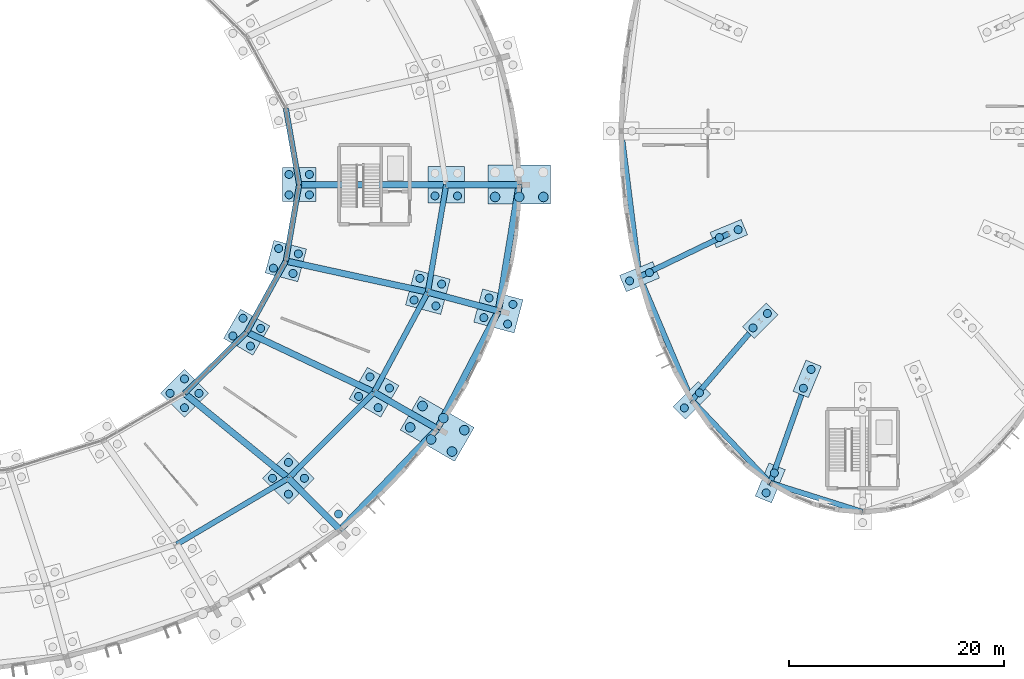
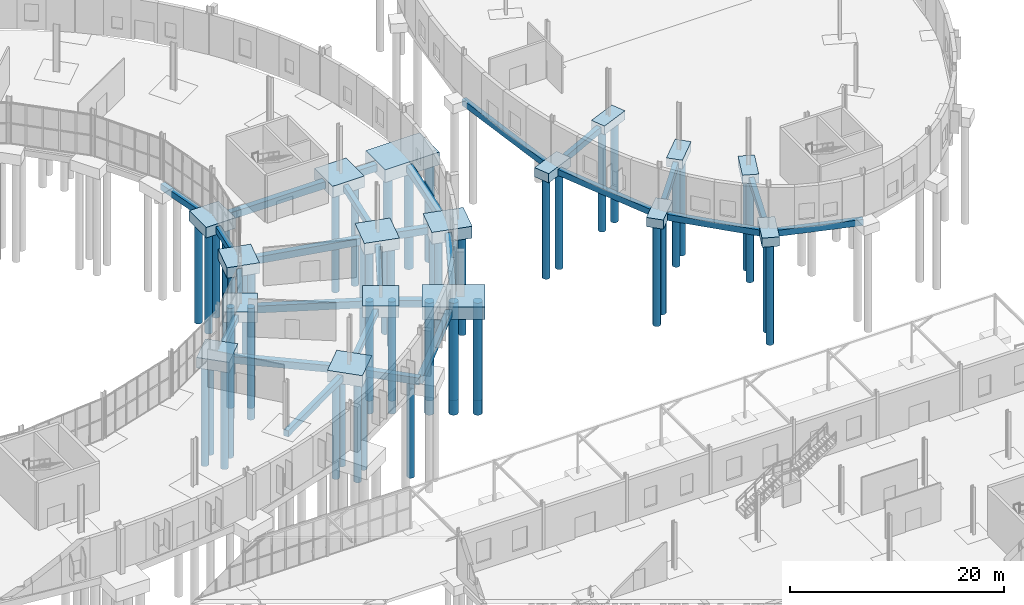
# One storey, part 7 of 118: 56 piles, 43 footings.
"""IFC4 building model written with IfcOpenShell, lengths in metres."""

from ifc_helpers import new_model, si_unit, direction, frame, origin, origin_2d, place, context, subcontext, project, spatial, rectangle, circle, extrude, material, material_profile, profile_set, type_object, element, save


model = new_model("IFC4")

# Units and contexts
model_context = context("Model", 3, precision=1e-05, world=origin(), true_north=direction((0.0, 1.0)))
body_context = subcontext(model_context, "Body", "Model", "MODEL_VIEW")
ifc_project = project(units=[si_unit("LENGTHUNIT", "METRE"), si_unit("AREAUNIT", "SQUARE_METRE"), si_unit("VOLUMEUNIT", "CUBIC_METRE"), si_unit("PLANEANGLEUNIT", "RADIAN"), si_unit("MASSUNIT", "GRAM", prefix="KILO")], contexts=[model_context])

# Site, building, storey
site_placement = place(None, origin())
site = spatial("IfcSite", under=ifc_project, at=site_placement, CompositionType="ELEMENT")
building_placement = place(site_placement, origin())
building = spatial("IfcBuilding", under=site, at=building_placement, Name="Kildeholm Park Wholesale Market", CompositionType="ELEMENT")
storey_placement = place(building_placement, origin())
storey = spatial("IfcBuildingStorey", under=building, at=storey_placement, Name="L00", CompositionType="ELEMENT", Elevation=0.0)

# Piles
ifc_material = material(Name="Concrete C35/45", Category="concrete")
ifc_material_profile_1 = material_profile(ifc_material, circle(Radius=0.375, at=origin_2d()), Name="PILE D750")
ifc_profile_set_1 = profile_set([ifc_material_profile_1], Name="Concrete C35/45")
pile_type_1 = type_object("IfcPileType", Name="Bored pile 750 mm", PredefinedType="BORED", material=ifc_profile_set_1)
for number, where, z_axis, x_axis, name in (
    (1, (134.550048828125, 88.550048828125, -1.10009765625), (0.0, 0.0, -1.0), (1.0, 0.0, 0.0), "Bored pile V1-IN-00.1 PIL-0001"),
    (2, (136.449951171875, 88.550048828125, -1.10009765625), (0.0, 0.0, -1.0), (1.0, 0.0, 0.0), "Bored pile V1-IN-00.2 PIL-0002"),
    (3, (134.550048828125, 90.449951171875, -1.10009765625), (0.0, 0.0, -1.0), (1.0, 0.0, 0.0), "Bored pile V1-IN-00.3 PIL-0003"),
    (4, (136.449951171875, 90.449951171875, -1.10009765625), (0.0, 0.0, -1.0), (1.0, 0.0, 0.0), "Bored pile V1-IN-00.4 PIL-0004"),
):
    element("IfcPile", number, at=place(storey_placement, frame(where, z_axis=z_axis, x_axis=x_axis)), inside=storey, type_object=pile_type_1, Name=name, PredefinedType="BORED", context=body_context, shape_type="SweptSolid", body=[
        extrude(circle(Radius=0.375, at=origin_2d()), origin(), (0.0, 0.0, 1.0), 11.39990234375),
    ])
for number, where, z_axis, x_axis, name in (
    (5, (148.14990234375, 88.449951171875, -1.199951171875), (0.0, 0.0, -1.0), (1.0, 0.0, 0.0), "Bored pile V1-MD-00.1 PIL-0005"),
    (6, (150.25, 88.449951171875, -1.199951171875), (0.0, 0.0, -1.0), (1.0, 0.0, 0.0), "Bored pile V1-MD-00.2 PIL-0006"),
):
    element("IfcPile", number, at=place(storey_placement, frame(where, z_axis=z_axis, x_axis=x_axis)), inside=storey, type_object=pile_type_1, Name=name, PredefinedType="BORED", context=body_context, shape_type="SweptSolid", body=[
        extrude(circle(Radius=0.375, at=origin_2d()), origin(), (0.0, 0.0, 1.0), 11.300048828125),
    ])
for number, where, z_axis, x_axis, name in (
    (7, (123.465576171875, 70.054931640625, -1.10009765625), (0.0, 0.0, -1.0), (1.0, 0.0, 0.0), "Bored pile V1-IN-21.1 PIL-0275"),
    (8, (124.80908203125, 68.71142578125, -1.10009765625), (0.0, 0.0, -1.0), (1.0, 0.0, 0.0), "Bored pile V1-IN-21.2 PIL-0276"),
    (9, (124.80908203125, 71.3984375, -1.10009765625), (0.0, 0.0, -1.0), (1.0, 0.0, 0.0), "Bored pile V1-IN-21.3 PIL-0277"),
    (10, (126.152587890625, 70.054931640625, -1.10009765625), (0.0, 0.0, -1.0), (1.0, 0.0, 0.0), "Bored pile V1-IN-21.4 PIL-0278"),
):
    element("IfcPile", number, at=place(storey_placement, frame(where, z_axis=z_axis, x_axis=x_axis)), inside=storey, type_object=pile_type_1, Name=name, PredefinedType="BORED", context=body_context, shape_type="SweptSolid", body=[
        extrude(circle(Radius=0.375, at=origin_2d()), origin(), (0.0, 0.0, 1.0), 11.39990234375),
    ])
for number, where, z_axis, x_axis, name in (
    (11, (133.01220703125, 62.135009765625, -1.199951171875), (0.0, 0.0, -1.0), (1.0, 0.0, 0.0), "Bored pile V1-MD-21.1 PIL-0279"),
    (12, (134.4970703125, 60.650146484375, -1.199951171875), (0.0, 0.0, -1.0), (1.0, 0.0, 0.0), "Bored pile V1-MD-21.2 PIL-0280"),
    (13, (134.4970703125, 63.619873046875, -1.199951171875), (0.0, 0.0, -1.0), (1.0, 0.0, 0.0), "Bored pile V1-MD-21.3 PIL-0281"),
    (14, (135.98193359375, 62.135009765625, -1.199951171875), (0.0, 0.0, -1.0), (1.0, 0.0, 0.0), "Bored pile V1-MD-21.4 PIL-0282"),
):
    element("IfcPile", number, at=place(storey_placement, frame(where, z_axis=z_axis, x_axis=x_axis)), inside=storey, type_object=pile_type_1, Name=name, PredefinedType="BORED", context=body_context, shape_type="SweptSolid", body=[
        extrude(circle(Radius=0.375, at=origin_2d()), origin(), (0.0, 0.0, 1.0), 11.300048828125),
    ])
pile_placement = place(storey_placement, frame((139.16357421875, 58.81201171875, -1.25), z_axis=(0.0, 0.0, -1.0), x_axis=(1.0, 0.0, 0.0)))
element("IfcPile", 15, at=pile_placement, inside=storey, type_object=pile_type_1, Name="Bored pile V1-OT-21.3 PIL-0285", PredefinedType="BORED", context=body_context, shape_type="SweptSolid", body=[
    extrude(circle(Radius=0.375, at=origin_2d()), origin(), (0.0, 0.0, 1.0), 11.25),
])
for number, where, z_axis, x_axis, name in (
    (16, (129.312255859375, 75.40234375, -1.10009765625), (0.0, 0.0, -1.0), (1.0, 0.0, 0.0), "Bored pile V1-IN-22.1 PIL-0287"),
    (17, (130.957763671875, 74.452392578125, -1.10009765625), (0.0, 0.0, -1.0), (1.0, 0.0, 0.0), "Bored pile V1-IN-22.2 PIL-0288"),
    (18, (130.26220703125, 77.047607421875, -1.10009765625), (0.0, 0.0, -1.0), (1.0, 0.0, 0.0), "Bored pile V1-IN-22.3 PIL-0289"),
    (19, (131.90771484375, 76.09765625, -1.10009765625), (0.0, 0.0, -1.0), (1.0, 0.0, 0.0), "Bored pile V1-IN-22.4 PIL-0290"),
):
    element("IfcPile", number, at=place(storey_placement, frame(where, z_axis=z_axis, x_axis=x_axis)), inside=storey, type_object=pile_type_1, Name=name, PredefinedType="BORED", context=body_context, shape_type="SweptSolid", body=[
        extrude(circle(Radius=0.375, at=origin_2d()), origin(), (0.0, 0.0, 1.0), 11.39990234375),
    ])
for number, where, z_axis, x_axis, name in (
    (20, (141.039794921875, 69.765625, -1.199951171875), (0.0, 0.0, -1.0), (1.0, 0.0, 0.0), "Bored pile V1-MD-22.1 PIL-0291"),
    (21, (142.8583984375, 68.7158203125, -1.199951171875), (0.0, 0.0, -1.0), (1.0, 0.0, 0.0), "Bored pile V1-MD-22.2 PIL-0292"),
    (22, (142.089599609375, 71.584228515625, -1.199951171875), (0.0, 0.0, -1.0), (1.0, 0.0, 0.0), "Bored pile V1-MD-22.3 PIL-0293"),
    (23, (143.908203125, 70.5341796875, -1.199951171875), (0.0, 0.0, -1.0), (1.0, 0.0, 0.0), "Bored pile V1-MD-22.4 PIL-0294"),
):
    element("IfcPile", number, at=place(storey_placement, frame(where, z_axis=z_axis, x_axis=x_axis)), inside=storey, type_object=pile_type_1, Name=name, PredefinedType="BORED", context=body_context, shape_type="SweptSolid", body=[
        extrude(circle(Radius=0.375, at=origin_2d()), origin(), (0.0, 0.0, 1.0), 11.300048828125),
    ])
for number, where, z_axis, x_axis, name in (
    (24, (133.092529296875, 81.710205078125, -1.10009765625), (0.0, 0.0, -1.0), (1.0, 0.0, 0.0), "Bored pile V1-IN-23.1 PIL-0301"),
    (25, (134.927734375, 81.218505859375, -1.10009765625), (0.0, 0.0, -1.0), (1.0, 0.0, 0.0), "Bored pile V1-IN-23.2 PIL-0302"),
    (26, (133.584228515625, 83.54541015625, -1.10009765625), (0.0, 0.0, -1.0), (1.0, 0.0, 0.0), "Bored pile V1-IN-23.3 PIL-0303"),
    (27, (135.41943359375, 83.0537109375, -1.10009765625), (0.0, 0.0, -1.0), (1.0, 0.0, 0.0), "Bored pile V1-IN-23.4 PIL-0304"),
):
    element("IfcPile", number, at=place(storey_placement, frame(where, z_axis=z_axis, x_axis=x_axis)), inside=storey, type_object=pile_type_1, Name=name, PredefinedType="BORED", context=body_context, shape_type="SweptSolid", body=[
        extrude(circle(Radius=0.375, at=origin_2d()), origin(), (0.0, 0.0, 1.0), 11.39990234375),
    ])
for number, where, z_axis, x_axis, name in (
    (28, (146.202880859375, 78.741455078125, -1.199951171875), (0.0, 0.0, -1.0), (1.0, 0.0, 0.0), "Bored pile V1-MD-23.1 PIL-0305"),
    (29, (148.2314453125, 78.197998046875, -1.199951171875), (0.0, 0.0, -1.0), (1.0, 0.0, 0.0), "Bored pile V1-MD-23.2 PIL-0306"),
    (30, (146.74658203125, 80.77001953125, -1.199951171875), (0.0, 0.0, -1.0), (1.0, 0.0, 0.0), "Bored pile V1-MD-23.3 PIL-0307"),
    (31, (148.77490234375, 80.2265625, -1.199951171875), (0.0, 0.0, -1.0), (1.0, 0.0, 0.0), "Bored pile V1-MD-23.4 PIL-0308"),
):
    element("IfcPile", number, at=place(storey_placement, frame(where, z_axis=z_axis, x_axis=x_axis)), inside=storey, type_object=pile_type_1, Name=name, PredefinedType="BORED", context=body_context, shape_type="SweptSolid", body=[
        extrude(circle(Radius=0.375, at=origin_2d()), origin(), (0.0, 0.0, 1.0), 11.300048828125),
    ])
for number, where, z_axis, x_axis, name in (
    (32, (152.701416015625, 77.10400390625, -1.25), (0.0, 0.0, -1.0), (1.0, 0.0, 0.0), "Bored pile V1-OT-23.1 PIL-0309"),
    (33, (154.9228515625, 76.5087890625, -1.25), (0.0, 0.0, -1.0), (1.0, 0.0, 0.0), "Bored pile V1-OT-23.2 PIL-0310"),
    (34, (153.193115234375, 78.939208984375, -1.25), (0.0, 0.0, -1.0), (1.0, 0.0, 0.0), "Bored pile V1-OT-23.3 PIL-0311"),
    (35, (155.414794921875, 78.343994140625, -1.25), (0.0, 0.0, -1.0), (1.0, 0.0, 0.0), "Bored pile V1-OT-23.4 PIL-0312"),
):
    element("IfcPile", number, at=place(storey_placement, frame(where, z_axis=z_axis, x_axis=x_axis)), inside=storey, type_object=pile_type_1, Name=name, PredefinedType="BORED", context=body_context, shape_type="SweptSolid", body=[
        extrude(circle(Radius=0.375, at=origin_2d()), origin(), (0.0, 0.0, 1.0), 11.25),
    ])
for number, where, z_axis, x_axis, name in (
    (36, (176.40576171875, 85.29638671875, -0.89990234375), (0.0, 0.0, -1.0), (1.0, 0.0, 0.0), "Bored pile V2-IN-09.1 PIL-0349"),
    (37, (174.650390625, 84.569580078125, -0.89990234375), (0.0, 0.0, -1.0), (1.0, 0.0, 0.0), "Bored pile V2-IN-09.2 PIL-0350"),
):
    element("IfcPile", number, at=place(storey_placement, frame(where, z_axis=z_axis, x_axis=x_axis)), inside=storey, type_object=pile_type_1, Name=name, PredefinedType="BORED", context=body_context, shape_type="SweptSolid", body=[
        extrude(circle(Radius=0.375, at=origin_2d()), origin(), (0.0, 0.0, 1.0), 11.60009765625),
    ])
for number, where, z_axis, x_axis, name in (
    (38, (168.136962890625, 81.297607421875, -0.949951171875), (0.0, 0.0, -1.0), (1.0, 0.0, 0.0), "Bored pile V2-OT-09.1 PIL-0351"),
    (39, (166.2890625, 80.5322265625, -0.949951171875), (0.0, 0.0, -1.0), (1.0, 0.0, 0.0), "Bored pile V2-OT-09.2 PIL-0352"),
):
    element("IfcPile", number, at=place(storey_placement, frame(where, z_axis=z_axis, x_axis=x_axis)), inside=storey, type_object=pile_type_1, Name=name, PredefinedType="BORED", context=body_context, shape_type="SweptSolid", body=[
        extrude(circle(Radius=0.375, at=origin_2d()), origin(), (0.0, 0.0, 1.0), 11.550048828125),
    ])
for number, where, z_axis, x_axis, name in (
    (40, (179.125732421875, 77.493896484375, -0.89990234375), (0.0, 0.0, -1.0), (1.0, 0.0, 0.0), "Bored pile V2-IN-10.1 PIL-0353"),
    (41, (177.7822265625, 76.150146484375, -0.89990234375), (0.0, 0.0, -1.0), (1.0, 0.0, 0.0), "Bored pile V2-IN-10.2 PIL-0354"),
):
    element("IfcPile", number, at=place(storey_placement, frame(where, z_axis=z_axis, x_axis=x_axis)), inside=storey, type_object=pile_type_1, Name=name, PredefinedType="BORED", context=body_context, shape_type="SweptSolid", body=[
        extrude(circle(Radius=0.375, at=origin_2d()), origin(), (0.0, 0.0, 1.0), 11.60009765625),
    ])
for number, where, z_axis, x_axis, name in (
    (42, (172.797119140625, 70.10498046875, -0.949951171875), (0.0, 0.0, -1.0), (1.0, 0.0, 0.0), "Bored pile V2-OT-10.1 PIL-0355"),
    (43, (171.3828125, 68.69091796875, -0.949951171875), (0.0, 0.0, -1.0), (1.0, 0.0, 0.0), "Bored pile V2-OT-10.2 PIL-0356"),
):
    element("IfcPile", number, at=place(storey_placement, frame(where, z_axis=z_axis, x_axis=x_axis)), inside=storey, type_object=pile_type_1, Name=name, PredefinedType="BORED", context=body_context, shape_type="SweptSolid", body=[
        extrude(circle(Radius=0.375, at=origin_2d()), origin(), (0.0, 0.0, 1.0), 11.550048828125),
    ])
for number, where, z_axis, x_axis, name in (
    (44, (183.197509765625, 72.28076171875, -0.89990234375), (0.0, 0.0, -1.0), (1.0, 0.0, 0.0), "Bored pile V2-IN-11.1 PIL-0357"),
    (45, (182.470458984375, 70.525390625, -0.89990234375), (0.0, 0.0, -1.0), (1.0, 0.0, 0.0), "Bored pile V2-IN-11.2 PIL-0358"),
):
    element("IfcPile", number, at=place(storey_placement, frame(where, z_axis=z_axis, x_axis=x_axis)), inside=storey, type_object=pile_type_1, Name=name, PredefinedType="BORED", context=body_context, shape_type="SweptSolid", body=[
        extrude(circle(Radius=0.375, at=origin_2d()), origin(), (0.0, 0.0, 1.0), 11.60009765625),
    ])
for number, where, z_axis, x_axis, name in (
    (46, (179.772705078125, 62.6259765625, -0.949951171875), (0.0, 0.0, -1.0), (1.0, 0.0, 0.0), "Bored pile V2-OT-11.1 PIL-0359"),
    (47, (179.00732421875, 60.778076171875, -0.949951171875), (0.0, 0.0, -1.0), (1.0, 0.0, 0.0), "Bored pile V2-OT-11.2 PIL-0360"),
):
    element("IfcPile", number, at=place(storey_placement, frame(where, z_axis=z_axis, x_axis=x_axis)), inside=storey, type_object=pile_type_1, Name=name, PredefinedType="BORED", context=body_context, shape_type="SweptSolid", body=[
        extrude(circle(Radius=0.375, at=origin_2d()), origin(), (0.0, 0.0, 1.0), 11.550048828125),
    ])
ifc_material_profile_2 = material_profile(ifc_material, circle(Radius=0.449951171875, at=origin_2d()), Name="PILE D900")
ifc_profile_set_2 = profile_set([ifc_material_profile_2], Name="Concrete C35/45")
pile_type_2 = type_object("IfcPileType", Name="Bored pile 900 mm", PredefinedType="BORED", material=ifc_profile_set_2)
for number, where, z_axis, x_axis, name in (
    (48, (153.75, 88.35009765625, -1.35009765625), (0.0, 0.0, -1.0), (1.0, 0.0, 0.0), "Bored pile V1-OT-00.1 PIL-0009"),
    (49, (156.0, 88.35009765625, -1.35009765625), (0.0, 0.0, -1.0), (1.0, 0.0, 0.0), "Bored pile V1-OT-00.2 PIL-0010"),
    (50, (158.25, 88.35009765625, -1.35009765625), (0.0, 0.0, -1.0), (1.0, 0.0, 0.0), "Bored pile V1-OT-00.3 PIL-0011"),
    (51, (145.83935546875, 66.879150390625, -1.35009765625), (0.0, 0.0, -1.0), (1.0, 0.0, 0.0), "Bored pile V1-OT-22.1 PIL-0295"),
    (52, (147.7880859375, 65.754150390625, -1.35009765625), (0.0, 0.0, -1.0), (1.0, 0.0, 0.0), "Bored pile V1-OT-22.2 PIL-0296"),
    (53, (149.736572265625, 64.629150390625, -1.35009765625), (0.0, 0.0, -1.0), (1.0, 0.0, 0.0), "Bored pile V1-OT-22.3 PIL-0297"),
    (54, (146.989501953125, 68.870849609375, -1.35009765625), (0.0, 0.0, -1.0), (1.0, 0.0, 0.0), "Bored pile V1-OT-22.4 PIL-0298"),
    (55, (148.93798828125, 67.745849609375, -1.35009765625), (0.0, 0.0, -1.0), (1.0, 0.0, 0.0), "Bored pile V1-OT-22.5 PIL-0299"),
    (56, (150.88671875, 66.620849609375, -1.35009765625), (0.0, 0.0, -1.0), (1.0, 0.0, 0.0), "Bored pile V1-OT-22.6 PIL-0300"),
):
    element("IfcPile", number, at=place(storey_placement, frame(where, z_axis=z_axis, x_axis=x_axis)), inside=storey, type_object=pile_type_2, Name=name, PredefinedType="BORED", context=body_context, shape_type="SweptSolid", body=[
        extrude(circle(Radius=0.449951171875, at=origin_2d()), origin(), (0.0, 0.0, 1.0), 11.14990234375),
    ])

# Footings
ifc_material_profile_3 = material_profile(ifc_material, rectangle(XDim=0.5, YDim=0.699951171875, at=origin_2d()), Name="FB 500x700")
ifc_profile_set_3 = profile_set([ifc_material_profile_3], Name="Concrete C35/45")
footing_type_1 = type_object("IfcFootingType", Name="Ground tie beam GB-1 FB 500x700", PredefinedType="FOOTING_BEAM", material=ifc_profile_set_3)
footing_1_placement = place(storey_placement, frame((135.5, 89.5, -0.64990234375), z_axis=(-0.172146745201, 0.985071316259, 0.0), x_axis=(-0.985071316259, -0.172146745201, 0.0)))
element("IfcFooting", 57, at=footing_1_placement, inside=storey, type_object=footing_type_1, Name="Ground tie beam GB-V1-CIN-00 FTG-0075", PredefinedType="FOOTING_BEAM", context=body_context, shape_type="SweptSolid", body=[
    extrude(rectangle(XDim=0.5, YDim=0.699951171875, at=origin_2d()), origin(), (0.0, 0.0, 1.0), 7.225830078125),
])
footing_2_placement = place(storey_placement, frame((124.10009765625, 55.985107421875, -0.64990234375), z_axis=(0.860700316594, 0.509111937609, 0.0), x_axis=(-0.509111937609, 0.860700316594, 0.0)))
element("IfcFooting", 58, at=footing_2_placement, inside=storey, type_object=footing_type_1, Name="Ground tie beam GB-V1-CMD-20 FTG-0176", PredefinedType="FOOTING_BEAM", context=body_context, shape_type="SweptSolid", body=[
    extrude(rectangle(XDim=0.5, YDim=0.699951171875, at=origin_2d()), origin(), (0.0, 0.0, 1.0), 12.07958984375),
])
footing_3_placement = place(storey_placement, frame((124.80908203125, 70.054931640625, -0.64990234375), z_axis=(0.713593723838, 0.700559774251, 0.0), x_axis=(-0.700559774251, 0.713593723838, 0.0)))
element("IfcFooting", 59, at=footing_3_placement, inside=storey, type_object=footing_type_1, Name="Ground tie beam GB-V1-CIN-21 FTG-0180", PredefinedType="FOOTING_BEAM", context=body_context, shape_type="SweptSolid", body=[
    extrude(rectangle(XDim=0.5, YDim=0.699951171875, at=origin_2d()), origin(), (0.0, 0.0, 1.0), 8.12939453125),
])
footing_4_placement = place(storey_placement, frame((134.4970703125, 62.135009765625, -0.64990234375), z_axis=(0.705431576708, 0.708778026313, 0.0), x_axis=(-0.708778026313, 0.705431576708, 0.0)))
element("IfcFooting", 60, at=footing_4_placement, inside=storey, type_object=footing_type_1, Name="Ground tie beam GB-V1-CMD-21 FTG-0181", PredefinedType="FOOTING_BEAM", context=body_context, shape_type="SweptSolid", body=[
    extrude(rectangle(XDim=0.5, YDim=0.699951171875, at=origin_2d()), origin(), (0.0, 0.0, 1.0), 11.30810546875),
])
footing_5_placement = place(storey_placement, frame((130.610107421875, 75.75, -0.64990234375), z_axis=(0.481751565348, 0.876307839338, 0.0), x_axis=(-0.876307839338, 0.481751565348, 0.0)))
element("IfcFooting", 61, at=footing_5_placement, inside=storey, type_object=footing_type_1, Name="Ground tie beam GB-V1-CIN-22 FTG-0185", PredefinedType="FOOTING_BEAM", context=body_context, shape_type="SweptSolid", body=[
    extrude(rectangle(XDim=0.5, YDim=0.699951171875, at=origin_2d()), origin(), (0.0, 0.0, 1.0), 7.568115234375),
])
footing_6_placement = place(storey_placement, frame((142.47412109375, 70.14990234375, -0.64990234375), z_axis=(0.473287580572, 0.880907978211, 0.0), x_axis=(-0.880907978211, 0.473287580572, 0.0)))
element("IfcFooting", 62, at=footing_6_placement, inside=storey, type_object=footing_type_1, Name="Ground tie beam GB-V1-CMD-22 FTG-0186", PredefinedType="FOOTING_BEAM", context=body_context, shape_type="SweptSolid", body=[
    extrude(rectangle(XDim=0.5, YDim=0.699951171875, at=origin_2d()), origin(), (0.0, 0.0, 1.0), 10.595947265625),
])
footing_7_placement = place(storey_placement, frame((134.256103515625, 82.382080078125, -0.64990234375), z_axis=(0.172146745201, 0.985071316259, 0.0), x_axis=(-0.985071316259, 0.172146745201, 0.0)))
element("IfcFooting", 63, at=footing_7_placement, inside=storey, type_object=footing_type_1, Name="Ground tie beam GB-V1-CIN-23 FTG-0190", PredefinedType="FOOTING_BEAM", context=body_context, shape_type="SweptSolid", body=[
    extrude(rectangle(XDim=0.5, YDim=0.699951171875, at=origin_2d()), origin(), (0.0, 0.0, 1.0), 7.225830078125),
])
footing_8_placement = place(storey_placement, frame((147.489013671875, 79.48388671875, -0.64990234375), z_axis=(0.168379597692, 0.985722228156, 0.0), x_axis=(-0.985722228156, 0.168379597692, 0.0)))
element("IfcFooting", 64, at=footing_8_placement, inside=storey, type_object=footing_type_1, Name="Ground tie beam GB-V1-CMD-23 FTG-0191", PredefinedType="FOOTING_BEAM", context=body_context, shape_type="SweptSolid", body=[
    extrude(rectangle(XDim=0.5, YDim=0.699951171875, at=origin_2d()), origin(), (0.0, 0.0, 1.0), 10.1611328125),
])
footing_9_placement = place(storey_placement, frame((165.5, 94.5, -0.64990234375), z_axis=(0.125096795787, -0.99214454173, 0.0), x_axis=(0.99214454173, 0.125096795787, 0.0)))
element("IfcFooting", 65, at=footing_9_placement, inside=storey, type_object=footing_type_1, Name="Ground tie beam GB-V2-COT-08 FTG-0228", PredefinedType="FOOTING_BEAM", context=body_context, shape_type="SweptSolid", body=[
    extrude(rectangle(XDim=0.5, YDim=0.699951171875, at=origin_2d()), origin(), (0.0, 0.0, 1.0), 13.692626953125),
])
footing_10_placement = place(storey_placement, frame((175.528076171875, 84.93310546875, -0.64990234375), z_axis=(-0.900388826514, -0.435086153639, 0.0), x_axis=(0.435086153639, -0.900388826514, 0.0)))
element("IfcFooting", 66, at=footing_10_placement, inside=storey, type_object=footing_type_1, Name="Ground tie beam GB-V2-RAD-09 FTG-0231", PredefinedType="FOOTING_BEAM", context=body_context, shape_type="SweptSolid", body=[
    extrude(rectangle(XDim=0.5, YDim=0.699951171875, at=origin_2d()), origin(), (0.0, 0.0, 1.0), 9.235107421875),
])
footing_11_placement = place(storey_placement, frame((167.212890625, 80.9150390625, -0.64990234375), z_axis=(0.389950720924, -0.920835726528, 0.0), x_axis=(0.920835726528, 0.389950720924, 0.0)))
element("IfcFooting", 67, at=footing_11_placement, inside=storey, type_object=footing_type_1, Name="Ground tie beam GB-V2-COT-09 FTG-0232", PredefinedType="FOOTING_BEAM", context=body_context, shape_type="SweptSolid", body=[
    extrude(rectangle(XDim=0.5, YDim=0.699951171875, at=origin_2d()), origin(), (0.0, 0.0, 1.0), 12.50732421875),
])
footing_12_placement = place(storey_placement, frame((178.4541015625, 76.822021484375, -0.64990234375), z_axis=(-0.650822214859, -0.75923016579, 0.0), x_axis=(0.75923016579, -0.650822214859, 0.0)))
element("IfcFooting", 68, at=footing_12_placement, inside=storey, type_object=footing_type_1, Name="Ground tie beam GB-V2-RAD-10 FTG-0235", PredefinedType="FOOTING_BEAM", context=body_context, shape_type="SweptSolid", body=[
    extrude(rectangle(XDim=0.5, YDim=0.699951171875, at=origin_2d()), origin(), (0.0, 0.0, 1.0), 9.7783203125),
])
footing_13_placement = place(storey_placement, frame((172.090087890625, 69.39794921875, -0.64990234375), z_axis=(0.688182467753, -0.725537656554, 0.0), x_axis=(0.725537656554, 0.688182467753, 0.0)))
element("IfcFooting", 69, at=footing_13_placement, inside=storey, type_object=footing_type_1, Name="Ground tie beam GB-V2-COT-10 FTG-0236", PredefinedType="FOOTING_BEAM", context=body_context, shape_type="SweptSolid", body=[
    extrude(rectangle(XDim=0.5, YDim=0.699951171875, at=origin_2d()), origin(), (0.0, 0.0, 1.0), 10.607421875),
])
footing_14_placement = place(storey_placement, frame((182.833984375, 71.403076171875, -0.64990234375), z_axis=(-0.334560005007, -0.942374449489, 0.0), x_axis=(0.942374449489, -0.334560005007, 0.0)))
element("IfcFooting", 70, at=footing_14_placement, inside=storey, type_object=footing_type_1, Name="Ground tie beam GB-V2-RAD-11 FTG-0239", PredefinedType="FOOTING_BEAM", context=body_context, shape_type="SweptSolid", body=[
    extrude(rectangle(XDim=0.5, YDim=0.699951171875, at=origin_2d()), origin(), (0.0, 0.0, 1.0), 10.29443359375),
])
footing_15_placement = place(storey_placement, frame((179.389892578125, 61.701904296875, -0.64990234375), z_axis=(0.954124515816, -0.299410100562, 0.0), x_axis=(0.299410100562, 0.954124515816, 0.0)))
element("IfcFooting", 71, at=footing_15_placement, inside=storey, type_object=footing_type_1, Name="Ground tie beam GB-V2-COT-11 FTG-0240", PredefinedType="FOOTING_BEAM", context=body_context, shape_type="SweptSolid", body=[
    extrude(rectangle(XDim=0.5, YDim=0.699951171875, at=origin_2d()), origin(), (0.0, 0.0, 1.0), 9.024169921875),
])
ifc_material_profile_4 = material_profile(ifc_material, rectangle(XDim=0.60009765625, YDim=0.800048828125, at=origin_2d()), Name="FB 600x800")
ifc_profile_set_4 = profile_set([ifc_material_profile_4], Name="Concrete C35/45")
footing_type_2 = type_object("IfcFootingType", Name="Ground tie beam GB-2 FB 600x800", PredefinedType="FOOTING_BEAM", material=ifc_profile_set_4)
footing_16_placement = place(storey_placement, frame((135.5, 89.5, -0.699951171875), z_axis=(1.0, 0.0, 0.0), x_axis=(0.0, 1.0, 0.0)))
element("IfcFooting", 72, at=footing_16_placement, inside=storey, type_object=footing_type_2, Name="Ground tie beam GB-V1-RAD1-00 FTG-0073", PredefinedType="FOOTING_BEAM", context=body_context, shape_type="SweptSolid", body=[
    extrude(rectangle(XDim=0.60009765625, YDim=0.800048828125, at=origin_2d()), origin(), (0.0, 0.0, 1.0), 13.699951171875),
])
footing_17_placement = place(storey_placement, frame((149.199951171875, 89.5, -0.699951171875), z_axis=(1.0, 0.0, 0.0), x_axis=(0.0, 1.0, 0.0)))
element("IfcFooting", 73, at=footing_17_placement, inside=storey, type_object=footing_type_2, Name="Ground tie beam GB-V1-RAD2-00 FTG-0074", PredefinedType="FOOTING_BEAM", context=body_context, shape_type="SweptSolid", body=[
    extrude(rectangle(XDim=0.60009765625, YDim=0.800048828125, at=origin_2d()), origin(), (0.0, 0.0, 1.0), 6.800048828125),
])
footing_18_placement = place(storey_placement, frame((124.80908203125, 70.054931640625, -0.699951171875), z_axis=(0.774216280002, -0.632921126034, 0.0), x_axis=(0.632921126034, 0.774216280002, 0.0)))
element("IfcFooting", 74, at=footing_18_placement, inside=storey, type_object=footing_type_2, Name="Ground tie beam GB-V1-RAD1-21 FTG-0178", PredefinedType="FOOTING_BEAM", context=body_context, shape_type="SweptSolid", body=[
    extrude(rectangle(XDim=0.60009765625, YDim=0.800048828125, at=origin_2d()), origin(), (0.0, 0.0, 1.0), 12.51318359375),
])
footing_19_placement = place(storey_placement, frame((134.4970703125, 62.135009765625, -0.699951171875), z_axis=(0.707088828163, -0.707124733755, 0.0), x_axis=(0.707124733755, 0.707088828163, 0.0)))
element("IfcFooting", 75, at=footing_19_placement, inside=storey, type_object=footing_type_2, Name="Ground tie beam GB-V1-RAD2-21 FTG-0179", PredefinedType="FOOTING_BEAM", context=body_context, shape_type="SweptSolid", body=[
    extrude(rectangle(XDim=0.60009765625, YDim=0.800048828125, at=origin_2d()), origin(), (0.0, 0.0, 1.0), 6.799560546875),
])
footing_20_placement = place(storey_placement, frame((139.304931640625, 57.326904296875, -0.699951171875), z_axis=(0.693006803532, 0.720931044039, 0.0), x_axis=(-0.720931044039, 0.693006803532, 0.0)))
element("IfcFooting", 76, at=footing_20_placement, inside=storey, type_object=footing_type_2, Name="Ground tie beam GB-V1-COT-21 FTG-0182", PredefinedType="FOOTING_BEAM", context=body_context, shape_type="SweptSolid", body=[
    extrude(rectangle(XDim=0.60009765625, YDim=0.800048828125, at=origin_2d()), origin(), (0.0, 0.0, 1.0), 13.07080078125),
])
footing_21_placement = place(storey_placement, frame((130.610107421875, 75.75, -0.699951171875), z_axis=(0.904317894242, -0.426859632846, 0.0), x_axis=(0.426859632846, 0.904317894242, 0.0)))
element("IfcFooting", 77, at=footing_21_placement, inside=storey, type_object=footing_type_2, Name="Ground tie beam GB-V1-RAD1-22 FTG-0183", PredefinedType="FOOTING_BEAM", context=body_context, shape_type="SweptSolid", body=[
    extrude(rectangle(XDim=0.60009765625, YDim=0.800048828125, at=origin_2d()), origin(), (0.0, 0.0, 1.0), 13.119384765625),
])
footing_22_placement = place(storey_placement, frame((142.47412109375, 70.14990234375, -0.699951171875), z_axis=(0.866029536736, -0.499992841449, 0.0), x_axis=(0.499992841449, 0.866029536736, 0.0)))
element("IfcFooting", 78, at=footing_22_placement, inside=storey, type_object=footing_type_2, Name="Ground tie beam GB-V1-RAD2-22 FTG-0184", PredefinedType="FOOTING_BEAM", context=body_context, shape_type="SweptSolid", body=[
    extrude(rectangle(XDim=0.60009765625, YDim=0.800048828125, at=origin_2d()), origin(), (0.0, 0.0, 1.0), 6.7998046875),
])
footing_23_placement = place(storey_placement, frame((148.363037109375, 66.75, -0.699951171875), z_axis=(0.460622041592, 0.887596380569, 0.0), x_axis=(-0.887596380569, 0.460622041592, 0.0)))
element("IfcFooting", 79, at=footing_23_placement, inside=storey, type_object=footing_type_2, Name="Ground tie beam GB-V1-COT-22 FTG-0187", PredefinedType="FOOTING_BEAM", context=body_context, shape_type="SweptSolid", body=[
    extrude(rectangle(XDim=0.60009765625, YDim=0.800048828125, at=origin_2d()), origin(), (0.0, 0.0, 1.0), 12.36376953125),
])
footing_24_placement = place(storey_placement, frame((134.256103515625, 82.382080078125, -0.699951171875), z_axis=(0.976846137752, -0.213943037181, 0.0), x_axis=(0.213943037181, 0.976846137752, 0.0)))
element("IfcFooting", 80, at=footing_24_placement, inside=storey, type_object=footing_type_2, Name="Ground tie beam GB-V1-RAD1-23 FTG-0188", PredefinedType="FOOTING_BEAM", context=body_context, shape_type="SweptSolid", body=[
    extrude(rectangle(XDim=0.60009765625, YDim=0.800048828125, at=origin_2d()), origin(), (0.0, 0.0, 1.0), 13.546630859375),
])
footing_25_placement = place(storey_placement, frame((147.489013671875, 79.48388671875, -0.699951171875), z_axis=(0.965941161837, -0.258761805275, 0.0), x_axis=(0.258761805275, 0.965941161837, 0.0)))
element("IfcFooting", 81, at=footing_25_placement, inside=storey, type_object=footing_type_2, Name="Ground tie beam GB-V1-RAD2-23 FTG-0189", PredefinedType="FOOTING_BEAM", context=body_context, shape_type="SweptSolid", body=[
    extrude(rectangle(XDim=0.60009765625, YDim=0.800048828125, at=origin_2d()), origin(), (0.0, 0.0, 1.0), 6.80078125),
])
footing_26_placement = place(storey_placement, frame((154.05810546875, 77.72412109375, -0.699951171875), z_axis=(0.162706979486, 0.98667443406, 0.0), x_axis=(-0.98667443406, 0.162706979486, 0.0)))
element("IfcFooting", 82, at=footing_26_placement, inside=storey, type_object=footing_type_2, Name="Ground tie beam GB-V1-COT-23 FTG-0192", PredefinedType="FOOTING_BEAM", context=body_context, shape_type="SweptSolid", body=[
    extrude(rectangle(XDim=0.60009765625, YDim=0.800048828125, at=origin_2d()), origin(), (0.0, 0.0, 1.0), 11.934814453125),
])
footing_type_3 = type_object("IfcFootingType", Name="Pile cap PC-2B 3150x1550x1000", PredefinedType="PILE_CAP", material=ifc_material)
for number, where, z_axis, x_axis, name in (
    (83, (175.528076171875, 84.93310546875, -1.0), (0.0, 0.0, 1.0), (-0.923879532511, -0.382683432365, 0.0), "Pile cap V2-IN-09 FTG-0229"),
    (84, (178.4541015625, 76.822021484375, -1.0), (0.0, 0.0, 1.0), (-0.707106781187, -0.707106781187, 0.0), "Pile cap V2-IN-10 FTG-0233"),
    (85, (182.833984375, 71.403076171875, -1.0), (0.0, 0.0, 1.0), (-0.382683432365, -0.923879532511, 0.0), "Pile cap V2-IN-11 FTG-0237"),
):
    element("IfcFooting", number, at=place(storey_placement, frame(where, z_axis=z_axis, x_axis=x_axis)), inside=storey, type_object=footing_type_3, Name=name, PredefinedType="PILE_CAP", context=body_context, shape_type="SweptSolid", body=[
        extrude(rectangle(XDim=3.14990234375, YDim=1.550048828125, at=origin_2d()), origin(), (0.0, 0.0, 1.0), 1.0),
    ])
footing_type_4 = type_object("IfcFootingType", Name="Pile cap PC-2C 3350x1650x1050", PredefinedType="PILE_CAP", material=ifc_material)
for number, where, z_axis, x_axis, name in (
    (86, (167.212890625, 80.9150390625, -1.0498046875), (0.0, 0.0, 1.0), (-0.923879532511, -0.382683432365, 0.0), "Pile cap V2-OT-09 FTG-0230"),
    (87, (172.090087890625, 69.39794921875, -1.0498046875), (0.0, 0.0, 1.0), (-0.707106781187, -0.707106781187, 0.0), "Pile cap V2-OT-10 FTG-0234"),
    (88, (179.389892578125, 61.701904296875, -1.0498046875), (0.0, 0.0, 1.0), (-0.382683432365, -0.923879532511, 0.0), "Pile cap V2-OT-11 FTG-0238"),
):
    element("IfcFooting", number, at=place(storey_placement, frame(where, z_axis=z_axis, x_axis=x_axis)), inside=storey, type_object=footing_type_4, Name=name, PredefinedType="PILE_CAP", context=body_context, shape_type="SweptSolid", body=[
        extrude(rectangle(XDim=3.35009765625, YDim=1.64990234375, at=origin_2d()), origin(), (0.0, 0.0, 1.0), 1.050048828125),
    ])
footing_type_5 = type_object("IfcFootingType", Name="Pile cap PC-4B 3150x3150x1200", PredefinedType="PILE_CAP", material=ifc_material)
for number, where, z_axis, x_axis, name in (
    (89, (135.5, 89.5, -1.2001953125), (0.0, 0.0, 1.0), (1.0, 0.0, 0.0), "Pile cap V1-IN-00 FTG-0001"),
    (90, (124.80908203125, 70.054931640625, -1.2001953125), (0.0, 0.0, 1.0), (0.707106781187, -0.707106781187, 0.0), "Pile cap V1-IN-21 FTG-0064"),
    (91, (130.610107421875, 75.75, -1.2001953125), (0.0, 0.0, 1.0), (0.866025403784, -0.5, 0.0), "Pile cap V1-IN-22 FTG-0067"),
    (92, (134.256103515625, 82.382080078125, -1.2001953125), (0.0, 0.0, 1.0), (0.965925826289, -0.258819045103, 0.0), "Pile cap V1-IN-23 FTG-0070"),
):
    element("IfcFooting", number, at=place(storey_placement, frame(where, z_axis=z_axis, x_axis=x_axis)), inside=storey, type_object=footing_type_5, Name=name, PredefinedType="PILE_CAP", context=body_context, shape_type="SweptSolid", body=[
        extrude(rectangle(XDim=3.14990234375, YDim=3.14990234375, at=origin_2d()), origin(), (0.0, 0.0, 1.0), 1.199951171875),
    ])
footing_type_6 = type_object("IfcFootingType", Name="Pile cap PC-4C 3400x3400x1300", PredefinedType="PILE_CAP", material=ifc_material)
for number, where, z_axis, x_axis, name in (
    (93, (149.199951171875, 89.5, -1.2998046875), (0.0, 0.0, 1.0), (1.0, 0.0, 0.0), "Pile cap V1-MD-00 FTG-0002"),
    (94, (134.4970703125, 62.135009765625, -1.2998046875), (0.0, 0.0, 1.0), (0.707106781187, -0.707106781187, 0.0), "Pile cap V1-MD-21 FTG-0065"),
    (95, (142.47412109375, 70.14990234375, -1.2998046875), (0.0, 0.0, 1.0), (0.866025403784, -0.5, 0.0), "Pile cap V1-MD-22 FTG-0068"),
    (96, (147.489013671875, 79.48388671875, -1.2998046875), (0.0, 0.0, 1.0), (0.965925826289, -0.258819045103, 0.0), "Pile cap V1-MD-23 FTG-0071"),
):
    element("IfcFooting", number, at=place(storey_placement, frame(where, z_axis=z_axis, x_axis=x_axis)), inside=storey, type_object=footing_type_6, Name=name, PredefinedType="PILE_CAP", context=body_context, shape_type="SweptSolid", body=[
        extrude(rectangle(XDim=3.39990234375, YDim=3.39990234375, at=origin_2d()), origin(), (0.0, 0.0, 1.0), 1.300048828125),
    ])
footing_type_7 = type_object("IfcFootingType", Name="Pile cap PC-4E 3900x3200x1350", PredefinedType="PILE_CAP", material=ifc_material)
footing_27_placement = place(storey_placement, frame((154.05810546875, 77.72412109375, -1.35009765625), z_axis=(0.0, 0.0, 1.0), x_axis=(0.965925826289, -0.258819045103, 0.0)))
element("IfcFooting", 97, at=footing_27_placement, inside=storey, type_object=footing_type_7, Name="Pile cap V1-OT-23 FTG-0072", PredefinedType="PILE_CAP", context=body_context, shape_type="SweptSolid", body=[
    extrude(rectangle(XDim=3.89990234375, YDim=3.199951171875, at=origin_2d()), origin(), (0.0, 0.0, 1.0), 1.35009765625),
])
footing_type_8 = type_object("IfcFootingType", Name="Pile cap PC-6A 5850x3650x1450", PredefinedType="PILE_CAP", material=ifc_material)
for number, where, z_axis, x_axis, name in (
    (98, (156.0, 89.5, -1.4501953125), (0.0, 0.0, 1.0), (1.0, 0.0, 0.0), "Pile cap V1-OT-00 FTG-0003"),
    (99, (148.363037109375, 66.75, -1.4501953125), (0.0, 0.0, 1.0), (0.866025403784, -0.5, 0.0), "Pile cap V1-OT-22 FTG-0069"),
):
    element("IfcFooting", number, at=place(storey_placement, frame(where, z_axis=z_axis, x_axis=x_axis)), inside=storey, type_object=footing_type_8, Name=name, PredefinedType="PILE_CAP", context=body_context, shape_type="SweptSolid", body=[
        extrude(rectangle(XDim=5.85009765625, YDim=3.64990234375, at=origin_2d()), origin(), (0.0, 0.0, 1.0), 1.449951171875),
    ])

save(model, "model.ifc")
